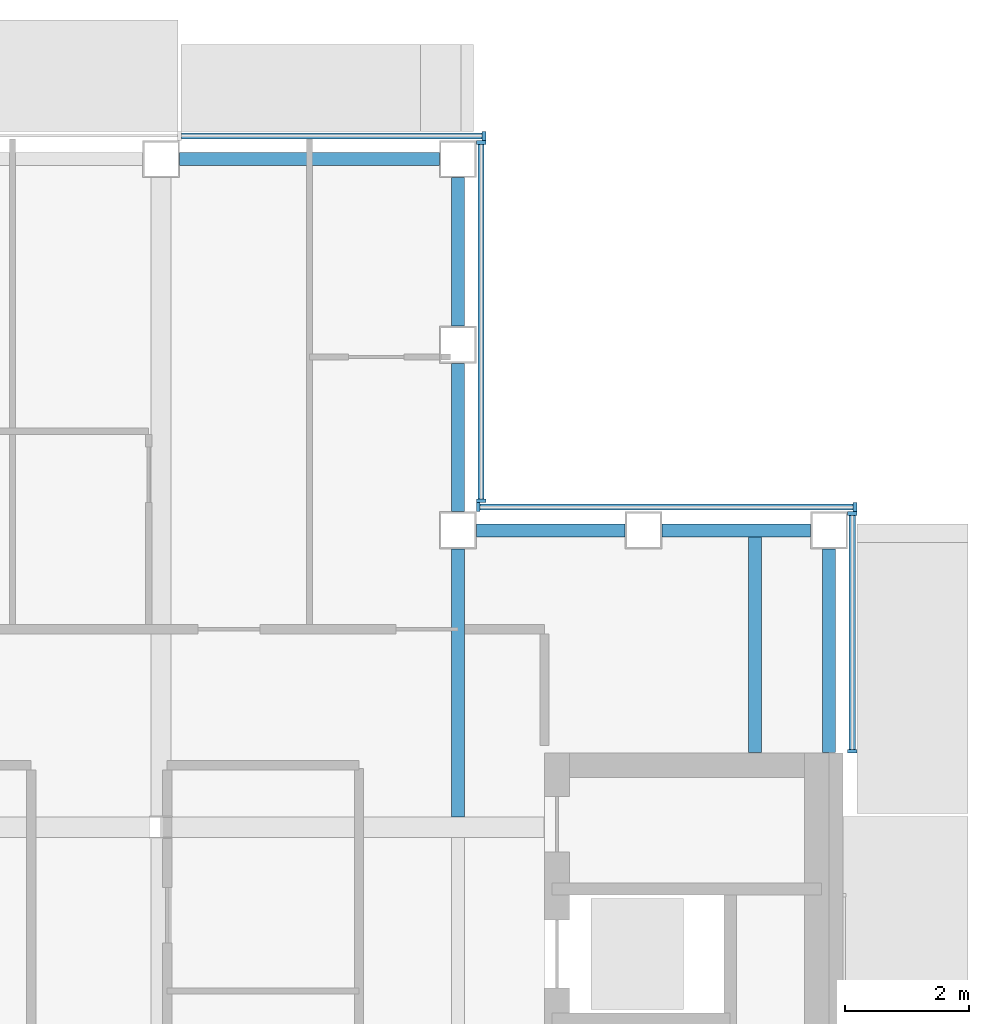
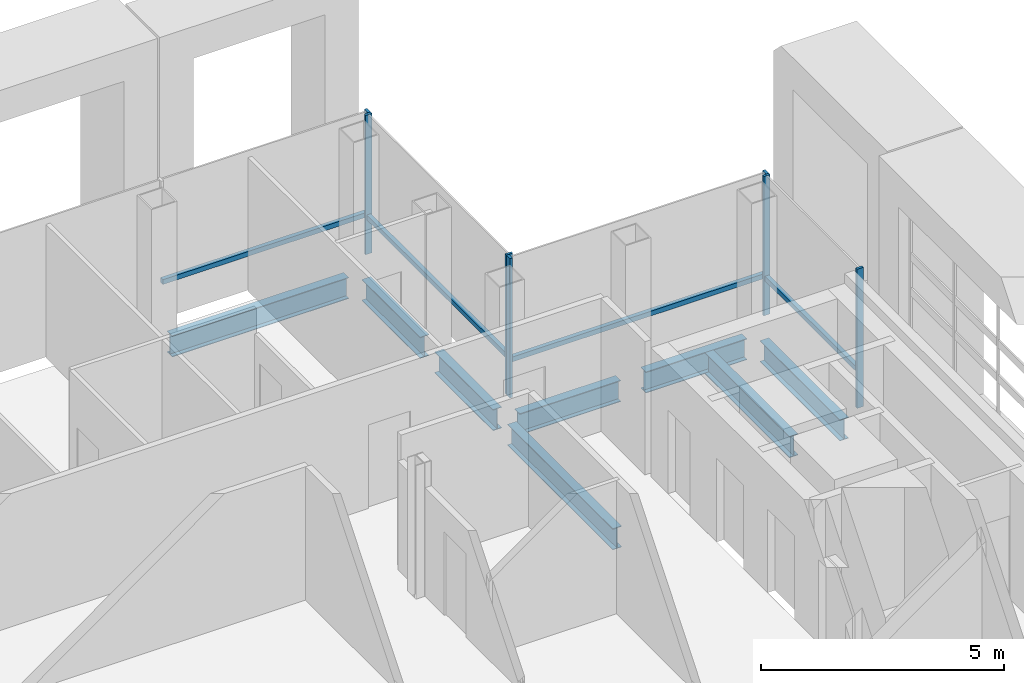
# One storey, part 7 of 21: 11 members, 8 beams, 4 elements without a shape of their own.
"""IFC4 building model written with IfcOpenShell, lengths in metres."""

from ifc_helpers import new_model, si_unit, direction, frame, origin, origin_2d, place, context, subcontext, project, spatial, rectangle, i_section, extrude, material, material_profile, profile_set, type_object, element, aggregate, save


model = new_model("IFC4")

# Units and contexts
model_context = context("Model", 3, precision=1e-05, world=origin(), true_north=direction((0.0, 1.0)))
body_context = subcontext(model_context, "Body", "Model", "MODEL_VIEW")
ifc_project = project(units=[si_unit("LENGTHUNIT", "METRE"), si_unit("AREAUNIT", "SQUARE_METRE"), si_unit("VOLUMEUNIT", "CUBIC_METRE"), si_unit("PLANEANGLEUNIT", "RADIAN"), si_unit("MASSUNIT", "GRAM", prefix="KILO")], contexts=[model_context])

# Site, building, storey
site_placement = place(None, origin())
site = spatial("IfcSite", under=ifc_project, at=site_placement, CompositionType="ELEMENT")
building_placement = place(site_placement, origin())
building = spatial("IfcBuilding", under=site, at=building_placement, Name="Cobrizo Arcos Hotel Tower", CompositionType="ELEMENT")
storey_placement = place(building_placement, frame((0.0, 0.0, 248.0)))
storey = spatial("IfcBuildingStorey", under=building, at=storey_placement, Name="L65", CompositionType="ELEMENT", Elevation=248.0)

# Curtain wall, members
ifc_material_1 = material(Name="Aluminium 6063-T6 anodised bronze", Category="aluminium")
curtain_wall_type = type_object("IfcCurtainWallType", Name="CW-A guest facade", PredefinedType="NOTDEFINED", material=ifc_material_1)
curtain_wall_1_placement = place(storey_placement, origin())
curtain_wall_1 = element("IfcCurtainWall", 1, at=curtain_wall_1_placement, inside=storey, type_object=curtain_wall_type, Name="CW-A L65 E face", PredefinedType="NOTDEFINED")
ifc_material_profile_1 = material_profile(ifc_material_1, rectangle(XDim=0.14990234375, YDim=0.06005859375, at=origin_2d()), Name="CW-A mullion 150x60")
ifc_profile_set_1 = profile_set([ifc_material_profile_1], Name="Aluminium 6063-T6 anodised bronze")
member_type_1 = type_object("IfcMemberType", Name="CW-A mullion 150x60", PredefinedType="MULLION", material=ifc_profile_set_1)
member_1_placement = place(storey_placement, frame((20.77490234375, 10.830078125, 0.0), z_axis=(0.0, 0.0, 1.0), x_axis=(1.0, 0.0, 0.0)))
member_1 = element("IfcMember", 2, at=member_1_placement, type_object=member_type_1, Name="CW-A mullion 1", PredefinedType="MULLION", context=body_context, shape_type="SweptSolid", body=[
    extrude(rectangle(XDim=0.14990234375, YDim=0.06005859375, at=origin_2d()), origin(), (0.0, 0.0, 1.0), 3.5),
])
member_2_placement = place(storey_placement, frame((20.77490234375, 14.669921875, 0.0), z_axis=(0.0, 0.0, 1.0), x_axis=(1.0, 0.0, 0.0)))
member_2 = element("IfcMember", 3, at=member_2_placement, type_object=member_type_1, Name="CW-A mullion 2", PredefinedType="MULLION", context=body_context, shape_type="SweptSolid", body=[
    extrude(rectangle(XDim=0.14990234375, YDim=0.06005859375, at=origin_2d()), origin(), (0.0, 0.0, 1.0), 3.5),
])

curtain_wall_2_placement = place(storey_placement, origin())
curtain_wall_2 = element("IfcCurtainWall", 4, at=curtain_wall_2_placement, inside=storey, type_object=curtain_wall_type, Name="CW-A L65 N face", PredefinedType="NOTDEFINED")
member_3_placement = place(storey_placement, frame((20.820068359375, 14.77490234375, 0.0), z_axis=(0.0, 0.0, 1.0), x_axis=(0.0, 1.0, 0.0)))
member_3 = element("IfcMember", 5, at=member_3_placement, type_object=member_type_1, Name="CW-A mullion 1", PredefinedType="MULLION", context=body_context, shape_type="SweptSolid", body=[
    extrude(rectangle(XDim=0.14990234375, YDim=0.06005859375, at=origin_2d()), origin(), (0.0, 0.0, 1.0), 3.5),
])
member_4_placement = place(storey_placement, frame((14.72998046875, 14.77490234375, 0.0), z_axis=(0.0, 0.0, 1.0), x_axis=(0.0, 1.0, 0.0)))
member_4 = element("IfcMember", 6, at=member_4_placement, type_object=member_type_1, Name="CW-A mullion 2", PredefinedType="MULLION", context=body_context, shape_type="SweptSolid", body=[
    extrude(rectangle(XDim=0.14990234375, YDim=0.06005859375, at=origin_2d()), origin(), (0.0, 0.0, 1.0), 3.5),
])

curtain_wall_3_placement = place(storey_placement, origin())
curtain_wall_3 = element("IfcCurtainWall", 7, at=curtain_wall_3_placement, inside=storey, type_object=curtain_wall_type, Name="CW-A L65 E face", PredefinedType="NOTDEFINED")
member_5_placement = place(storey_placement, frame((14.77490234375, 14.8798828125, 0.0), z_axis=(0.0, 0.0, 1.0), x_axis=(1.0, 0.0, 0.0)))
member_5 = element("IfcMember", 8, at=member_5_placement, type_object=member_type_1, Name="CW-A mullion 1", PredefinedType="MULLION", context=body_context, shape_type="SweptSolid", body=[
    extrude(rectangle(XDim=0.14990234375, YDim=0.06005859375, at=origin_2d()), origin(), (0.0, 0.0, 1.0), 3.5),
])
member_6_placement = place(storey_placement, frame((14.77490234375, 20.669921875, 0.0), z_axis=(0.0, 0.0, 1.0), x_axis=(1.0, 0.0, 0.0)))
member_6 = element("IfcMember", 9, at=member_6_placement, type_object=member_type_1, Name="CW-A mullion 2", PredefinedType="MULLION", context=body_context, shape_type="SweptSolid", body=[
    extrude(rectangle(XDim=0.14990234375, YDim=0.06005859375, at=origin_2d()), origin(), (0.0, 0.0, 1.0), 3.5),
])

# Curtain wall, member
curtain_wall_4_placement = place(storey_placement, origin())
curtain_wall_4 = element("IfcCurtainWall", 10, at=curtain_wall_4_placement, inside=storey, type_object=curtain_wall_type, Name="CW-A L65 N face", PredefinedType="NOTDEFINED")
member_7_placement = place(storey_placement, frame((14.820068359375, 20.77490234375, 0.0), z_axis=(0.0, 0.0, 1.0), x_axis=(0.0, 1.0, 0.0)))
member_7 = element("IfcMember", 11, at=member_7_placement, type_object=member_type_1, Name="CW-A mullion 1", PredefinedType="MULLION", context=body_context, shape_type="SweptSolid", body=[
    extrude(rectangle(XDim=0.14990234375, YDim=0.06005859375, at=origin_2d()), origin(), (0.0, 0.0, 1.0), 3.5),
])

# Member
ifc_material_profile_2 = material_profile(ifc_material_1, rectangle(XDim=0.10009765625, YDim=0.1201171875, at=origin_2d()), Name="CW-A transom 120x100")
ifc_profile_set_2 = profile_set([ifc_material_profile_2], Name="Aluminium 6063-T6 anodised bronze")
member_type_2 = type_object("IfcMemberType", Name="CW-A transom 120x100", PredefinedType="USERDEFINED", material=ifc_profile_set_2)
member_8_placement = place(storey_placement, frame((20.77490234375, 10.860107421875, 0.929931640625), z_axis=(0.0, 1.0, 0.0), x_axis=(-1.0, 0.0, 0.0)))
member_8 = element("IfcMember", 12, at=member_8_placement, type_object=member_type_2, Name="CW-A transom 2069", ObjectType="TRANSOM", PredefinedType="USERDEFINED", context=body_context, shape_type="SweptSolid", body=[
    extrude(rectangle(XDim=0.10009765625, YDim=0.1201171875, at=origin_2d()), origin(), (0.0, 0.0, 1.0), 3.77978515625),
])

aggregate(curtain_wall_1, [member_1, member_2, member_8])

member_9_placement = place(storey_placement, frame((20.7900390625, 14.77490234375, 0.929931640625), z_axis=(-1.0, 0.0, 0.0), x_axis=(0.0, -1.0, 0.0)))
member_9 = element("IfcMember", 13, at=member_9_placement, type_object=member_type_2, Name="CW-A transom 2070", ObjectType="TRANSOM", PredefinedType="USERDEFINED", context=body_context, shape_type="SweptSolid", body=[
    extrude(rectangle(XDim=0.10009765625, YDim=0.1201171875, at=origin_2d()), origin(), (0.0, 0.0, 1.0), 6.030029296875),
])

aggregate(curtain_wall_2, [member_3, member_4, member_9])

member_10_placement = place(storey_placement, frame((14.77490234375, 14.909912109375, 0.929931640625), z_axis=(0.0, 1.0, 0.0), x_axis=(-1.0, 0.0, 0.0)))
member_10 = element("IfcMember", 14, at=member_10_placement, type_object=member_type_2, Name="CW-A transom 2071", ObjectType="TRANSOM", PredefinedType="USERDEFINED", context=body_context, shape_type="SweptSolid", body=[
    extrude(rectangle(XDim=0.10009765625, YDim=0.1201171875, at=origin_2d()), origin(), (0.0, 0.0, 1.0), 5.72998046875),
])

aggregate(curtain_wall_3, [member_5, member_6, member_10])

member_11_placement = place(storey_placement, frame((14.7900390625, 20.77490234375, 0.929931640625), z_axis=(-1.0, 0.0, 0.0), x_axis=(0.0, -1.0, 0.0)))
member_11 = element("IfcMember", 15, at=member_11_placement, type_object=member_type_2, Name="CW-A transom 2072", ObjectType="TRANSOM", PredefinedType="USERDEFINED", context=body_context, shape_type="SweptSolid", body=[
    extrude(rectangle(XDim=0.10009765625, YDim=0.1201171875, at=origin_2d()), origin(), (0.0, 0.0, 1.0), 4.860107421875),
])

aggregate(curtain_wall_4, [member_7, member_11])

# Beams
ifc_material_2 = material(Name="Steel ASTM A992 Grade 50", Category="steel")
ifc_material_profile_3 = material_profile(ifc_material_2, i_section(OverallWidth=0.209228515625, OverallDepth=0.533447265625, WebThickness=0.01025390625, FlangeThickness=0.015625, at=origin_2d()), Name="W21X62")
ifc_profile_set_3 = profile_set([ifc_material_profile_3], Name="Steel ASTM A992 Grade 50")
beam_type_1 = type_object("IfcBeamType", Name="W21X62 joist", PredefinedType="JOIST", material=ifc_profile_set_3)
beam_1_placement = place(storey_placement, frame((14.39990234375, 9.763916015625, -0.416748046875), z_axis=(0.0, 1.0, 0.0), x_axis=(-1.0, 0.0, 0.0)))
element("IfcBeam", 16, at=beam_1_placement, inside=storey, type_object=beam_type_1, Name="Floor joist J1, L65, no. 018", PredefinedType="JOIST", context=body_context, shape_type="SweptSolid", body=[
    extrude(i_section(OverallWidth=0.209228515625, OverallDepth=0.533447265625, WebThickness=0.01025390625, FlangeThickness=0.015625, at=origin_2d()), origin(), (0.0, 0.0, 1.0), 4.336181640625),
])
beam_2_placement = place(storey_placement, frame((19.199951171875, 10.81005859375, -0.416748046875), z_axis=(0.0, 1.0, 0.0), x_axis=(-1.0, 0.0, 0.0)))
element("IfcBeam", 17, at=beam_2_placement, inside=storey, type_object=beam_type_1, Name="Floor joist J1, L65, no. 020", PredefinedType="JOIST", context=body_context, shape_type="SweptSolid", body=[
    extrude(i_section(OverallWidth=0.209228515625, OverallDepth=0.533447265625, WebThickness=0.01025390625, FlangeThickness=0.015625, at=origin_2d()), origin(), (0.0, 0.0, 1.0), 3.5),
])
ifc_material_profile_4 = material_profile(ifc_material_2, i_section(OverallWidth=0.209228515625, OverallDepth=0.533447265625, WebThickness=0.01025390625, FlangeThickness=0.015625, at=origin_2d()), Name="W21X62")
ifc_profile_set_4 = profile_set([ifc_material_profile_4], Name="Steel ASTM A992 Grade 50")
beam_type_2 = type_object("IfcBeamType", Name="W21X62 spandrel", PredefinedType="SPANDREL", material=ifc_profile_set_4)
beam_3_placement = place(storey_placement, frame((20.39990234375, 10.81005859375, -0.416748046875), z_axis=(0.0, 1.0, 0.0), x_axis=(-1.0, 0.0, 0.0)))
element("IfcBeam", 18, at=beam_3_placement, inside=storey, type_object=beam_type_2, Name="Spandrel beam W21X62, L65, no. 012", PredefinedType="SPANDREL", context=body_context, shape_type="SweptSolid", body=[
    extrude(i_section(OverallWidth=0.209228515625, OverallDepth=0.533447265625, WebThickness=0.01025390625, FlangeThickness=0.015625, at=origin_2d()), origin(), (0.0, 0.0, 1.0), 3.2900390625),
])
for number, where, z_axis, x_axis, name in (
    (19, (20.10009765625, 14.39990234375, -0.416748046875), (-1.0, 0.0, 0.0), (0.0, -1.0, 0.0), "Spandrel beam W21X62, L65, no. 013"),
    (20, (17.10009765625, 14.39990234375, -0.416748046875), (-1.0, 0.0, 0.0), (0.0, -1.0, 0.0), "Spandrel beam W21X62, L65, no. 014"),
    (21, (14.39990234375, 14.699951171875, -0.416748046875), (0.0, 1.0, 0.0), (-1.0, 0.0, 0.0), "Spandrel beam W21X62, L65, no. 015"),
    (22, (14.39990234375, 17.699951171875, -0.416748046875), (0.0, 1.0, 0.0), (-1.0, 0.0, 0.0), "Spandrel beam W21X62, L65, no. 016"),
):
    element("IfcBeam", number, at=place(storey_placement, frame(where, z_axis=z_axis, x_axis=x_axis)), inside=storey, type_object=beam_type_2, Name=name, PredefinedType="SPANDREL", context=body_context, shape_type="SweptSolid", body=[
        extrude(i_section(OverallWidth=0.209228515625, OverallDepth=0.533447265625, WebThickness=0.01025390625, FlangeThickness=0.015625, at=origin_2d()), origin(), (0.0, 0.0, 1.0), 2.400146484375),
    ])
beam_4_placement = place(storey_placement, frame((14.10009765625, 20.39990234375, -0.416748046875), z_axis=(-1.0, 0.0, 0.0), x_axis=(0.0, -1.0, 0.0)))
element("IfcBeam", 23, at=beam_4_placement, inside=storey, type_object=beam_type_2, Name="Spandrel beam W21X62, L65, no. 017", PredefinedType="SPANDREL", context=body_context, shape_type="SweptSolid", body=[
    extrude(i_section(OverallWidth=0.209228515625, OverallDepth=0.533447265625, WebThickness=0.01025390625, FlangeThickness=0.015625, at=origin_2d()), origin(), (0.0, 0.0, 1.0), 4.2001953125),
])

save(model, "model.ifc")
